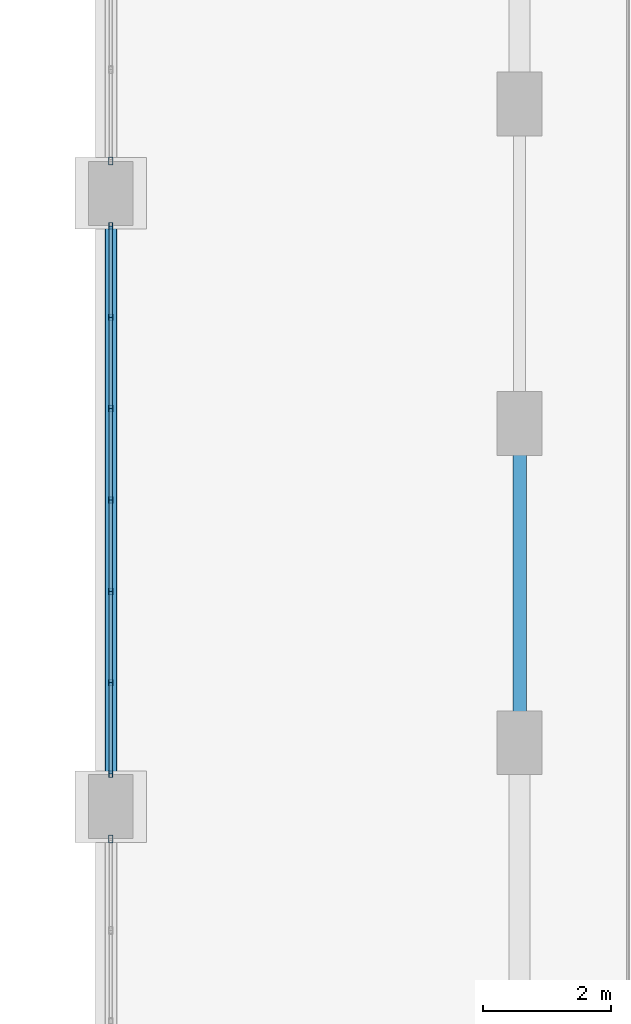
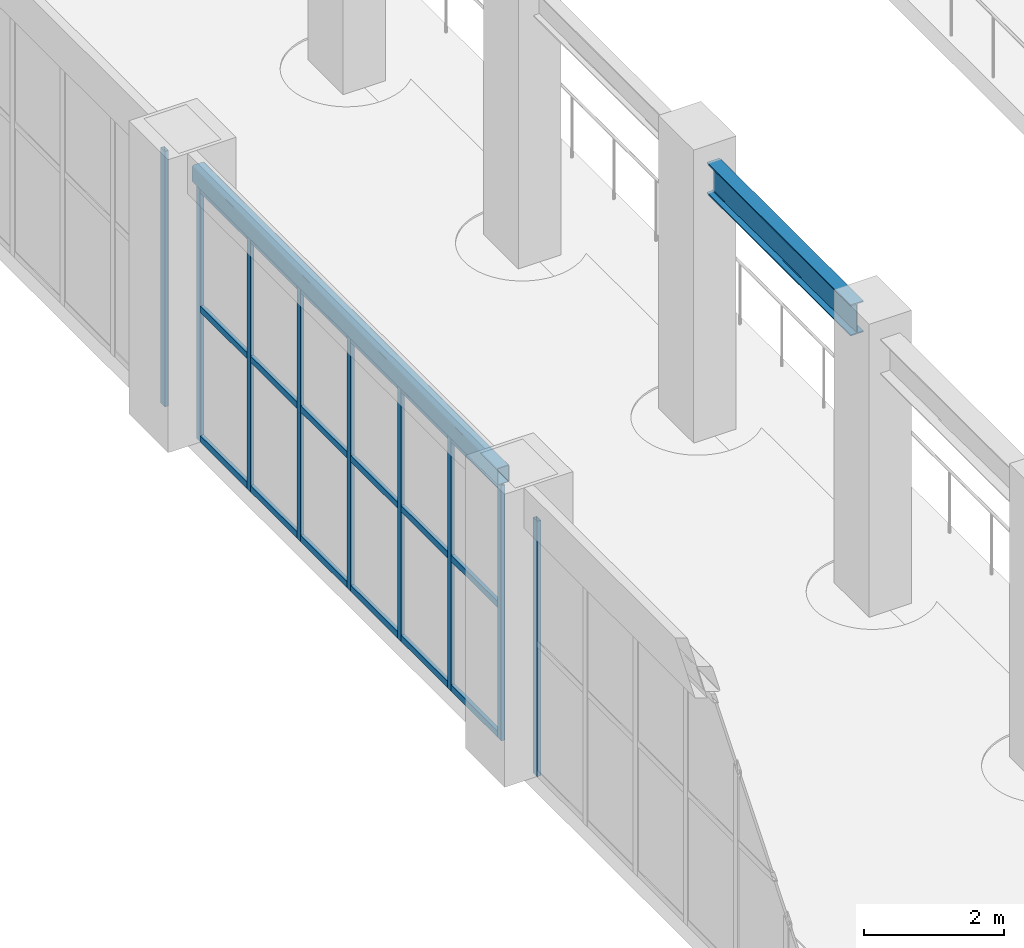
# One storey, part 83 of 174: 27 members, 2 beams, 3 elements without a shape of their own.
"""IFC4 building model written with IfcOpenShell, lengths in metres."""

from ifc_helpers import new_model, si_unit, direction, frame, origin, origin_2d, place, context, subcontext, project, spatial, hollow_rectangle, i_section, extrude, material, material_profile, profile_set, type_object, element, aggregate, save


model = new_model("IFC4")

# Units and contexts
model_context = context("Model", 3, precision=1e-05, world=origin(), true_north=direction((0.0, 1.0)))
body_context = subcontext(model_context, "Body", "Model", "MODEL_VIEW")
ifc_project = project(units=[si_unit("LENGTHUNIT", "METRE"), si_unit("AREAUNIT", "SQUARE_METRE"), si_unit("VOLUMEUNIT", "CUBIC_METRE"), si_unit("PLANEANGLEUNIT", "RADIAN"), si_unit("MASSUNIT", "GRAM", prefix="KILO")], contexts=[model_context])

# Site, building, storey
site_placement = place(None, origin())
site = spatial("IfcSite", under=ifc_project, at=site_placement, CompositionType="ELEMENT")
building_placement = place(site_placement, origin())
building = spatial("IfcBuilding", under=site, at=building_placement, Name="Mavantir Sound Aquarium", CompositionType="ELEMENT")
storey_placement = place(building_placement, frame((0.0, 0.0, 5.39990234375)))
storey = spatial("IfcBuildingStorey", under=building, at=storey_placement, Name="L01", CompositionType="ELEMENT", Elevation=5.39990234375)

# Beams
ifc_material_1 = material(Name="Hollow Structural Steel ASTM A500 GrC", Category="steel")
ifc_material_profile_1 = material_profile(ifc_material_1, hollow_rectangle(XDim=0.199951171875, YDim=0.300048828125, WallThickness=0.012451171875, InnerFilletRadius=0.012451171875, OuterFilletRadius=0.02490234375, at=origin_2d()), Name="RHS 300X200X12.5")
ifc_profile_set_1 = profile_set([ifc_material_profile_1], Name="Hollow Structural Steel ASTM A500 GrC")
beam_type_1 = type_object("IfcBeamType", Name="BM-RHS300-E", PredefinedType="SPANDREL", material=ifc_profile_set_1)
beam_1_placement = place(storey_placement, frame((101.60009765625, 65.25, 4.6259765625), z_axis=(0.0, 1.0, 0.0), x_axis=(-1.0, 0.0, 0.0)))
element("IfcBeam", 1, at=beam_1_placement, inside=storey, type_object=beam_type_1, Name="L01 primary girder SS-R30 1286", PredefinedType="SPANDREL", context=body_context, shape_type="SweptSolid", body=[
    extrude(hollow_rectangle(XDim=0.199951171875, YDim=0.300048828125, WallThickness=0.012451171875, InnerFilletRadius=0.012451171875, OuterFilletRadius=0.02490234375, at=origin_2d()), origin(), (0.0, 0.0, 1.0), 8.699951171875),
])
ifc_material_2 = material(Name="Structural Steel ASTM A992 Gr50", Category="steel")
ifc_material_profile_2 = material_profile(ifc_material_2, i_section(OverallWidth=0.2119140625, OverallDepth=0.5439453125, WebThickness=0.01318359375, FlangeThickness=0.021240234375, FilletRadius=0.01806640625, at=origin_2d()), Name="W530X123")
ifc_profile_set_2 = profile_set([ifc_material_profile_2], Name="Structural Steel ASTM A992 Gr50")
beam_type_2 = type_object("IfcBeamType", Name="BM-W530X123-I", PredefinedType="BEAM", material=ifc_profile_set_2)
beam_2_placement = place(storey_placement, frame((108.0, 66.25, 4.504150390625), z_axis=(0.0, 1.0, 0.0), x_axis=(-1.0, 0.0, 0.0)))
element("IfcBeam", 2, at=beam_2_placement, inside=storey, type_object=beam_type_2, Name="L01 primary girder SB-53 1295", PredefinedType="BEAM", context=body_context, shape_type="SweptSolid", body=[
    extrude(i_section(OverallWidth=0.2119140625, OverallDepth=0.5439453125, WebThickness=0.01318359375, FlangeThickness=0.021240234375, FilletRadius=0.01806640625, at=origin_2d()), origin(), (0.0, 0.0, 1.0), 4.10009765625),
])

# Curtain wall, members
ifc_material_3 = material(Name="Anodised Marine Aluminium and Low-E Glass", Category="aluminium")
curtain_wall_type_1 = type_object("IfcCurtainWallType", Name="CW-T21", PredefinedType="USERDEFINED", material=ifc_material_3)
curtain_wall_1_placement = place(storey_placement, origin())
curtain_wall_1 = element("IfcCurtainWall", 3, at=curtain_wall_1_placement, inside=storey, type_object=curtain_wall_type_1, Name="L01 unitised curtain wall CW-21 93", ObjectType="UNITISED GLAZING", PredefinedType="USERDEFINED")
ifc_material_4 = material(Name="Anodised Marine Aluminium 6063-T6", Category="aluminium")
ifc_material_profile_3 = material_profile(ifc_material_4, hollow_rectangle(XDim=0.06005859375, YDim=0.10009765625, WallThickness=0.00390625, at=origin_2d()), Name="ALU-MULLION-100X60")
ifc_profile_set_3 = profile_set([ifc_material_profile_3], Name="Anodised Marine Aluminium 6063-T6")
member_type_1 = type_object("IfcMemberType", Name="CW-MUL-100", PredefinedType="MULLION", material=ifc_profile_set_3)
member_1_placement = place(storey_placement, frame((101.60009765625, 73.89208984375, 0.0), z_axis=(0.0, 0.0, 1.0), x_axis=(1.0, 0.0, 0.0)))
member_1 = element("IfcMember", 4, at=member_1_placement, type_object=member_type_1, Name="CW-L01-093 vertical mullion 1", PredefinedType="MULLION", context=body_context, shape_type="SweptSolid", body=[
    extrude(hollow_rectangle(XDim=0.06005859375, YDim=0.10009765625, WallThickness=0.00390625, at=origin_2d()), origin(), (0.0, 0.0, 1.0), 4.446044921875),
])
member_2_placement = place(storey_placement, frame((101.60009765625, 72.461181640625, 0.0), z_axis=(0.0, 0.0, 1.0), x_axis=(1.0, 0.0, 0.0)))
member_2 = element("IfcMember", 5, at=member_2_placement, type_object=member_type_1, Name="CW-L01-093 vertical mullion 2", PredefinedType="MULLION", context=body_context, shape_type="SweptSolid", body=[
    extrude(hollow_rectangle(XDim=0.06005859375, YDim=0.10009765625, WallThickness=0.00390625, at=origin_2d()), origin(), (0.0, 0.0, 1.0), 4.446044921875),
])
member_3_placement = place(storey_placement, frame((101.60009765625, 71.03076171875, 0.0), z_axis=(0.0, 0.0, 1.0), x_axis=(1.0, 0.0, 0.0)))
member_3 = element("IfcMember", 6, at=member_3_placement, type_object=member_type_1, Name="CW-L01-093 vertical mullion 3", PredefinedType="MULLION", context=body_context, shape_type="SweptSolid", body=[
    extrude(hollow_rectangle(XDim=0.06005859375, YDim=0.10009765625, WallThickness=0.00390625, at=origin_2d()), origin(), (0.0, 0.0, 1.0), 4.446044921875),
])
member_4_placement = place(storey_placement, frame((101.60009765625, 69.60009765625, 0.0), z_axis=(0.0, 0.0, 1.0), x_axis=(1.0, 0.0, 0.0)))
member_4 = element("IfcMember", 7, at=member_4_placement, type_object=member_type_1, Name="CW-L01-093 vertical mullion 4", PredefinedType="MULLION", context=body_context, shape_type="SweptSolid", body=[
    extrude(hollow_rectangle(XDim=0.06005859375, YDim=0.10009765625, WallThickness=0.00390625, at=origin_2d()), origin(), (0.0, 0.0, 1.0), 4.446044921875),
])
member_5_placement = place(storey_placement, frame((101.60009765625, 68.169189453125, 0.0), z_axis=(0.0, 0.0, 1.0), x_axis=(1.0, 0.0, 0.0)))
member_5 = element("IfcMember", 8, at=member_5_placement, type_object=member_type_1, Name="CW-L01-093 vertical mullion 5", PredefinedType="MULLION", context=body_context, shape_type="SweptSolid", body=[
    extrude(hollow_rectangle(XDim=0.06005859375, YDim=0.10009765625, WallThickness=0.00390625, at=origin_2d()), origin(), (0.0, 0.0, 1.0), 4.446044921875),
])
member_6_placement = place(storey_placement, frame((101.60009765625, 66.73876953125, 0.0), z_axis=(0.0, 0.0, 1.0), x_axis=(1.0, 0.0, 0.0)))
member_6 = element("IfcMember", 9, at=member_6_placement, type_object=member_type_1, Name="CW-L01-093 vertical mullion 6", PredefinedType="MULLION", context=body_context, shape_type="SweptSolid", body=[
    extrude(hollow_rectangle(XDim=0.06005859375, YDim=0.10009765625, WallThickness=0.00390625, at=origin_2d()), origin(), (0.0, 0.0, 1.0), 4.446044921875),
])
member_7_placement = place(storey_placement, frame((101.60009765625, 65.30810546875, 0.0), z_axis=(0.0, 0.0, 1.0), x_axis=(1.0, 0.0, 0.0)))
member_7 = element("IfcMember", 10, at=member_7_placement, type_object=member_type_1, Name="CW-L01-093 vertical mullion 7", PredefinedType="MULLION", context=body_context, shape_type="SweptSolid", body=[
    extrude(hollow_rectangle(XDim=0.06005859375, YDim=0.10009765625, WallThickness=0.00390625, at=origin_2d()), origin(), (0.0, 0.0, 1.0), 4.446044921875),
])

# Curtain wall, member
curtain_wall_type_2 = type_object("IfcCurtainWallType", Name="CW-T20", PredefinedType="USERDEFINED", material=ifc_material_3)
curtain_wall_2_placement = place(storey_placement, origin())
curtain_wall_2 = element("IfcCurtainWall", 11, at=curtain_wall_2_placement, inside=storey, type_object=curtain_wall_type_2, Name="L01 unitised curtain wall CW-20 92", ObjectType="UNITISED GLAZING", PredefinedType="USERDEFINED")
ifc_material_profile_4 = material_profile(ifc_material_4, hollow_rectangle(XDim=0.06494140625, YDim=0.1201171875, WallThickness=0.00390625, at=origin_2d()), Name="ALU-MULLION-120X65")
ifc_profile_set_4 = profile_set([ifc_material_profile_4], Name="Anodised Marine Aluminium 6063-T6")
member_type_2 = type_object("IfcMemberType", Name="CW-MUL-120", PredefinedType="MULLION", material=ifc_profile_set_4)
member_8_placement = place(storey_placement, frame((101.60009765625, 74.907958984375, 0.0), z_axis=(0.0, 0.0, 1.0), x_axis=(1.0, 0.0, 0.0)))
member_8 = element("IfcMember", 12, at=member_8_placement, type_object=member_type_2, Name="CW-L01-092 vertical mullion 7", PredefinedType="MULLION", context=body_context, shape_type="SweptSolid", body=[
    extrude(hollow_rectangle(XDim=0.06494140625, YDim=0.1201171875, WallThickness=0.00390625, at=origin_2d()), origin(), (0.0, 0.0, 1.0), 4.446044921875),
])
aggregate(curtain_wall_2, [member_8])

curtain_wall_type_3 = type_object("IfcCurtainWallType", Name="CW-T22", PredefinedType="USERDEFINED", material=ifc_material_3)
curtain_wall_3_placement = place(storey_placement, origin())
curtain_wall_3 = element("IfcCurtainWall", 13, at=curtain_wall_3_placement, inside=storey, type_object=curtain_wall_type_3, Name="L01 unitised curtain wall CW-22 94", ObjectType="UNITISED GLAZING", PredefinedType="USERDEFINED")
member_9_placement = place(storey_placement, frame((101.60009765625, 64.2919921875, 0.0), z_axis=(0.0, 0.0, 1.0), x_axis=(1.0, 0.0, 0.0)))
member_9 = element("IfcMember", 14, at=member_9_placement, type_object=member_type_2, Name="CW-L01-094 vertical mullion 1", PredefinedType="MULLION", context=body_context, shape_type="SweptSolid", body=[
    extrude(hollow_rectangle(XDim=0.06494140625, YDim=0.1201171875, WallThickness=0.00390625, at=origin_2d()), origin(), (0.0, 0.0, 1.0), 4.446044921875),
])
aggregate(curtain_wall_3, [member_9])

# Member
ifc_material_profile_5 = material_profile(ifc_material_4, hollow_rectangle(XDim=0.06005859375, YDim=0.110107421875, WallThickness=0.00390625, at=origin_2d()), Name="ALU-TRANSOM-110X60")
ifc_profile_set_5 = profile_set([ifc_material_profile_5], Name="Anodised Marine Aluminium 6063-T6")
member_type_3 = type_object("IfcMemberType", Name="CW-TRN-110", PredefinedType="USERDEFINED", material=ifc_profile_set_5)
member_10_placement = place(storey_placement, frame((101.60009765625, 73.89208984375, 0.05517578125), z_axis=(0.0, -1.0, 0.0), x_axis=(1.0, 0.0, 0.0)))
member_10 = element("IfcMember", 15, at=member_10_placement, type_object=member_type_3, Name="CW-L01-093 transom 1.1", ObjectType="TRANSOM", PredefinedType="USERDEFINED", context=body_context, shape_type="SweptSolid", body=[
    extrude(hollow_rectangle(XDim=0.06005859375, YDim=0.110107421875, WallThickness=0.00390625, at=origin_2d()), origin(), (0.0, 0.0, 1.0), 1.430908203125),
])

member_11_placement = place(storey_placement, frame((101.60009765625, 73.89208984375, 2.31201171875), z_axis=(0.0, -1.0, 0.0), x_axis=(1.0, 0.0, 0.0)))
member_11 = element("IfcMember", 16, at=member_11_placement, type_object=member_type_3, Name="CW-L01-093 transom 1.2", ObjectType="TRANSOM", PredefinedType="USERDEFINED", context=body_context, shape_type="SweptSolid", body=[
    extrude(hollow_rectangle(XDim=0.06005859375, YDim=0.110107421875, WallThickness=0.00390625, at=origin_2d()), origin(), (0.0, 0.0, 1.0), 1.430908203125),
])

member_12_placement = place(storey_placement, frame((101.60009765625, 73.89208984375, 4.39111328125), z_axis=(0.0, -1.0, 0.0), x_axis=(1.0, 0.0, 0.0)))
member_12 = element("IfcMember", 17, at=member_12_placement, type_object=member_type_3, Name="CW-L01-093 transom 1.3", ObjectType="TRANSOM", PredefinedType="USERDEFINED", context=body_context, shape_type="SweptSolid", body=[
    extrude(hollow_rectangle(XDim=0.06005859375, YDim=0.110107421875, WallThickness=0.00390625, at=origin_2d()), origin(), (0.0, 0.0, 1.0), 1.430908203125),
])

member_13_placement = place(storey_placement, frame((101.60009765625, 72.461181640625, 0.05517578125), z_axis=(0.0, -1.0, 0.0), x_axis=(1.0, 0.0, 0.0)))
member_13 = element("IfcMember", 18, at=member_13_placement, type_object=member_type_3, Name="CW-L01-093 transom 2.1", ObjectType="TRANSOM", PredefinedType="USERDEFINED", context=body_context, shape_type="SweptSolid", body=[
    extrude(hollow_rectangle(XDim=0.06005859375, YDim=0.110107421875, WallThickness=0.00390625, at=origin_2d()), origin(), (0.0, 0.0, 1.0), 1.430419921875),
])

member_14_placement = place(storey_placement, frame((101.60009765625, 72.461181640625, 2.31201171875), z_axis=(0.0, -1.0, 0.0), x_axis=(1.0, 0.0, 0.0)))
member_14 = element("IfcMember", 19, at=member_14_placement, type_object=member_type_3, Name="CW-L01-093 transom 2.2", ObjectType="TRANSOM", PredefinedType="USERDEFINED", context=body_context, shape_type="SweptSolid", body=[
    extrude(hollow_rectangle(XDim=0.06005859375, YDim=0.110107421875, WallThickness=0.00390625, at=origin_2d()), origin(), (0.0, 0.0, 1.0), 1.430419921875),
])

member_15_placement = place(storey_placement, frame((101.60009765625, 72.461181640625, 4.39111328125), z_axis=(0.0, -1.0, 0.0), x_axis=(1.0, 0.0, 0.0)))
member_15 = element("IfcMember", 20, at=member_15_placement, type_object=member_type_3, Name="CW-L01-093 transom 2.3", ObjectType="TRANSOM", PredefinedType="USERDEFINED", context=body_context, shape_type="SweptSolid", body=[
    extrude(hollow_rectangle(XDim=0.06005859375, YDim=0.110107421875, WallThickness=0.00390625, at=origin_2d()), origin(), (0.0, 0.0, 1.0), 1.430419921875),
])

member_16_placement = place(storey_placement, frame((101.60009765625, 71.03076171875, 0.05517578125), z_axis=(0.0, -1.0, 0.0), x_axis=(1.0, 0.0, 0.0)))
member_16 = element("IfcMember", 21, at=member_16_placement, type_object=member_type_3, Name="CW-L01-093 transom 3.1", ObjectType="TRANSOM", PredefinedType="USERDEFINED", context=body_context, shape_type="SweptSolid", body=[
    extrude(hollow_rectangle(XDim=0.06005859375, YDim=0.110107421875, WallThickness=0.00390625, at=origin_2d()), origin(), (0.0, 0.0, 1.0), 1.4306640625),
])

member_17_placement = place(storey_placement, frame((101.60009765625, 71.03076171875, 2.31201171875), z_axis=(0.0, -1.0, 0.0), x_axis=(1.0, 0.0, 0.0)))
member_17 = element("IfcMember", 22, at=member_17_placement, type_object=member_type_3, Name="CW-L01-093 transom 3.2", ObjectType="TRANSOM", PredefinedType="USERDEFINED", context=body_context, shape_type="SweptSolid", body=[
    extrude(hollow_rectangle(XDim=0.06005859375, YDim=0.110107421875, WallThickness=0.00390625, at=origin_2d()), origin(), (0.0, 0.0, 1.0), 1.4306640625),
])

member_18_placement = place(storey_placement, frame((101.60009765625, 71.03076171875, 4.39111328125), z_axis=(0.0, -1.0, 0.0), x_axis=(1.0, 0.0, 0.0)))
member_18 = element("IfcMember", 23, at=member_18_placement, type_object=member_type_3, Name="CW-L01-093 transom 3.3", ObjectType="TRANSOM", PredefinedType="USERDEFINED", context=body_context, shape_type="SweptSolid", body=[
    extrude(hollow_rectangle(XDim=0.06005859375, YDim=0.110107421875, WallThickness=0.00390625, at=origin_2d()), origin(), (0.0, 0.0, 1.0), 1.4306640625),
])

member_19_placement = place(storey_placement, frame((101.60009765625, 69.60009765625, 0.05517578125), z_axis=(0.0, -1.0, 0.0), x_axis=(1.0, 0.0, 0.0)))
member_19 = element("IfcMember", 24, at=member_19_placement, type_object=member_type_3, Name="CW-L01-093 transom 4.1", ObjectType="TRANSOM", PredefinedType="USERDEFINED", context=body_context, shape_type="SweptSolid", body=[
    extrude(hollow_rectangle(XDim=0.06005859375, YDim=0.110107421875, WallThickness=0.00390625, at=origin_2d()), origin(), (0.0, 0.0, 1.0), 1.430908203125),
])

member_20_placement = place(storey_placement, frame((101.60009765625, 69.60009765625, 2.31201171875), z_axis=(0.0, -1.0, 0.0), x_axis=(1.0, 0.0, 0.0)))
member_20 = element("IfcMember", 25, at=member_20_placement, type_object=member_type_3, Name="CW-L01-093 transom 4.2", ObjectType="TRANSOM", PredefinedType="USERDEFINED", context=body_context, shape_type="SweptSolid", body=[
    extrude(hollow_rectangle(XDim=0.06005859375, YDim=0.110107421875, WallThickness=0.00390625, at=origin_2d()), origin(), (0.0, 0.0, 1.0), 1.430908203125),
])

member_21_placement = place(storey_placement, frame((101.60009765625, 69.60009765625, 4.39111328125), z_axis=(0.0, -1.0, 0.0), x_axis=(1.0, 0.0, 0.0)))
member_21 = element("IfcMember", 26, at=member_21_placement, type_object=member_type_3, Name="CW-L01-093 transom 4.3", ObjectType="TRANSOM", PredefinedType="USERDEFINED", context=body_context, shape_type="SweptSolid", body=[
    extrude(hollow_rectangle(XDim=0.06005859375, YDim=0.110107421875, WallThickness=0.00390625, at=origin_2d()), origin(), (0.0, 0.0, 1.0), 1.430908203125),
])

member_22_placement = place(storey_placement, frame((101.60009765625, 68.169189453125, 0.05517578125), z_axis=(0.0, -1.0, 0.0), x_axis=(1.0, 0.0, 0.0)))
member_22 = element("IfcMember", 27, at=member_22_placement, type_object=member_type_3, Name="CW-L01-093 transom 5.1", ObjectType="TRANSOM", PredefinedType="USERDEFINED", context=body_context, shape_type="SweptSolid", body=[
    extrude(hollow_rectangle(XDim=0.06005859375, YDim=0.110107421875, WallThickness=0.00390625, at=origin_2d()), origin(), (0.0, 0.0, 1.0), 1.430419921875),
])

member_23_placement = place(storey_placement, frame((101.60009765625, 68.169189453125, 2.31201171875), z_axis=(0.0, -1.0, 0.0), x_axis=(1.0, 0.0, 0.0)))
member_23 = element("IfcMember", 28, at=member_23_placement, type_object=member_type_3, Name="CW-L01-093 transom 5.2", ObjectType="TRANSOM", PredefinedType="USERDEFINED", context=body_context, shape_type="SweptSolid", body=[
    extrude(hollow_rectangle(XDim=0.06005859375, YDim=0.110107421875, WallThickness=0.00390625, at=origin_2d()), origin(), (0.0, 0.0, 1.0), 1.430419921875),
])

member_24_placement = place(storey_placement, frame((101.60009765625, 68.169189453125, 4.39111328125), z_axis=(0.0, -1.0, 0.0), x_axis=(1.0, 0.0, 0.0)))
member_24 = element("IfcMember", 29, at=member_24_placement, type_object=member_type_3, Name="CW-L01-093 transom 5.3", ObjectType="TRANSOM", PredefinedType="USERDEFINED", context=body_context, shape_type="SweptSolid", body=[
    extrude(hollow_rectangle(XDim=0.06005859375, YDim=0.110107421875, WallThickness=0.00390625, at=origin_2d()), origin(), (0.0, 0.0, 1.0), 1.430419921875),
])

member_25_placement = place(storey_placement, frame((101.60009765625, 66.73876953125, 0.05517578125), z_axis=(0.0, -1.0, 0.0), x_axis=(1.0, 0.0, 0.0)))
member_25 = element("IfcMember", 30, at=member_25_placement, type_object=member_type_3, Name="CW-L01-093 transom 6.1", ObjectType="TRANSOM", PredefinedType="USERDEFINED", context=body_context, shape_type="SweptSolid", body=[
    extrude(hollow_rectangle(XDim=0.06005859375, YDim=0.110107421875, WallThickness=0.00390625, at=origin_2d()), origin(), (0.0, 0.0, 1.0), 1.4306640625),
])

member_26_placement = place(storey_placement, frame((101.60009765625, 66.73876953125, 2.31201171875), z_axis=(0.0, -1.0, 0.0), x_axis=(1.0, 0.0, 0.0)))
member_26 = element("IfcMember", 31, at=member_26_placement, type_object=member_type_3, Name="CW-L01-093 transom 6.2", ObjectType="TRANSOM", PredefinedType="USERDEFINED", context=body_context, shape_type="SweptSolid", body=[
    extrude(hollow_rectangle(XDim=0.06005859375, YDim=0.110107421875, WallThickness=0.00390625, at=origin_2d()), origin(), (0.0, 0.0, 1.0), 1.4306640625),
])

member_27_placement = place(storey_placement, frame((101.60009765625, 66.73876953125, 4.39111328125), z_axis=(0.0, -1.0, 0.0), x_axis=(1.0, 0.0, 0.0)))
member_27 = element("IfcMember", 32, at=member_27_placement, type_object=member_type_3, Name="CW-L01-093 transom 6.3", ObjectType="TRANSOM", PredefinedType="USERDEFINED", context=body_context, shape_type="SweptSolid", body=[
    extrude(hollow_rectangle(XDim=0.06005859375, YDim=0.110107421875, WallThickness=0.00390625, at=origin_2d()), origin(), (0.0, 0.0, 1.0), 1.4306640625),
])

aggregate(curtain_wall_1, [member_1, member_2, member_3, member_4, member_5, member_6, member_7, member_10, member_11, member_12, member_13, member_14, member_15, member_16, member_17, member_18, member_19, member_20, member_21, member_22, member_23, member_24, member_25, member_26, member_27])

save(model, "model.ifc")
